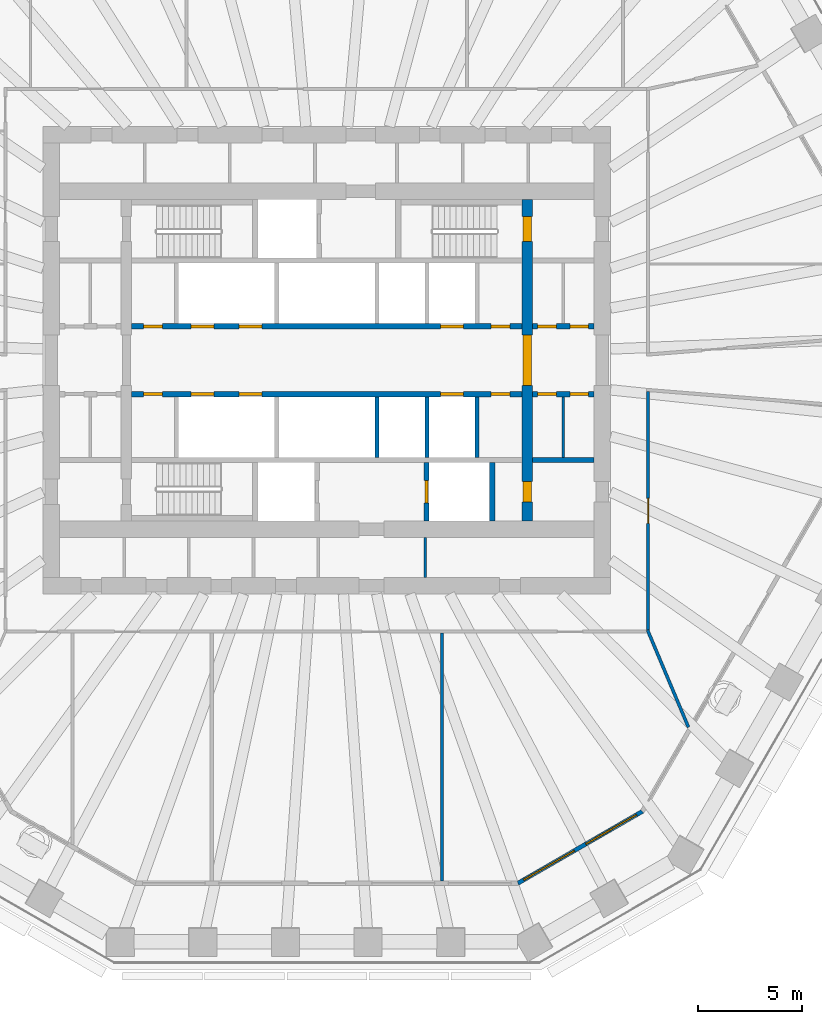
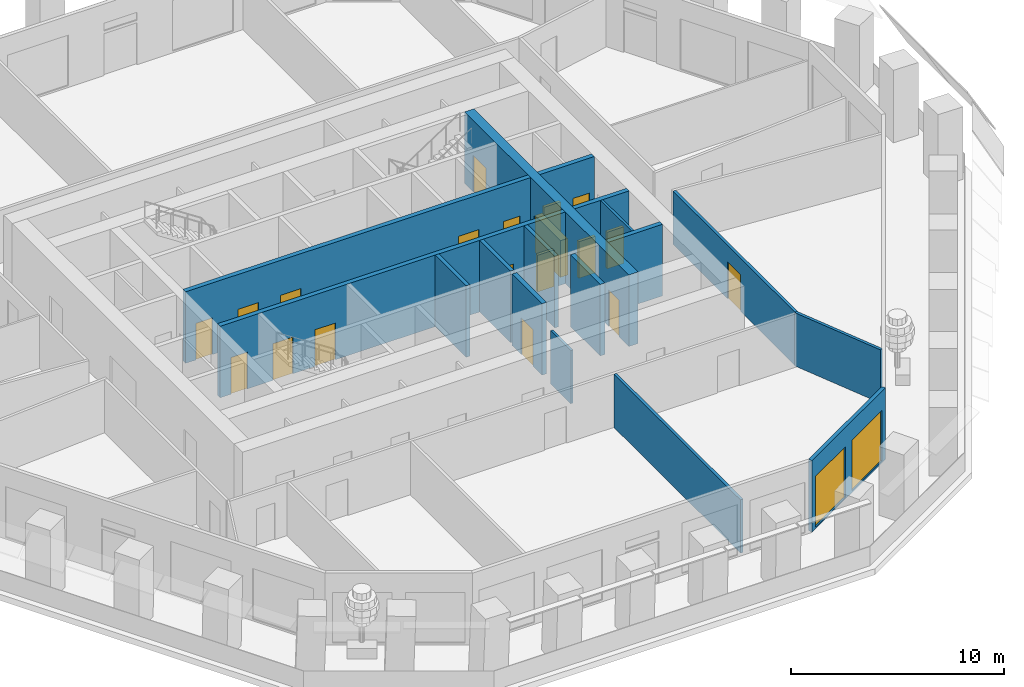
# One storey, part 5 of 13: 19 doors, 17 walls, 2 windows, 21 openings.
"""IFC4 building model written with IfcOpenShell, lengths in metres."""

from ifc_helpers import new_model, si_unit, direction, frame, frame_2d, origin, place, context, subcontext, project, spatial, polyline, rectangle, outline, extrude, material, layer, layer_set, type_object, element, fill, save


model = new_model("IFC4")

# Units and contexts
model_context = context("Model", 3, precision=1e-05, world=origin(), true_north=direction((0.0, 1.0)))
body_context = subcontext(model_context, "Body", "Model", "MODEL_VIEW")
ifc_project = project(units=[si_unit("LENGTHUNIT", "METRE"), si_unit("AREAUNIT", "SQUARE_METRE"), si_unit("VOLUMEUNIT", "CUBIC_METRE"), si_unit("PLANEANGLEUNIT", "RADIAN"), si_unit("MASSUNIT", "GRAM", prefix="KILO")], contexts=[model_context])

# Site, building, storey
site_placement = place(None, origin())
site = spatial("IfcSite", under=ifc_project, at=site_placement, CompositionType="ELEMENT")
building_placement = place(site_placement, origin())
building = spatial("IfcBuilding", under=site, at=building_placement, Name="Frailejon Research Tower", CompositionType="ELEMENT")
storey_placement = place(building_placement, frame((0.0, 0.0, 117.60009765625)))
storey = spatial("IfcBuildingStorey", under=building, at=storey_placement, Name="L25", CompositionType="ELEMENT", Elevation=117.60009765625)

# Walls
ifc_material_1 = material(Name="Plasterboard on steel studs", Category="steel")
ifc_layer_1 = layer(ifc_material_1, 0.125)
ifc_layer_set_1 = layer_set([ifc_layer_1], Name="Core partition 125")
wall_type_1 = type_object("IfcWallType", Name="Core partition 125", PredefinedType="PARTITIONING", material=ifc_layer_set_1)
wall_1_placement = place(storey_placement, frame((4.71240234375, -10.39990234375, 0.0), z_axis=(0.0, 0.0, 1.0), x_axis=(0.0, 1.0, 0.0)))
element("IfcWall", 1, at=wall_1_placement, inside=storey, type_object=wall_type_1, Name="Core partition", PredefinedType="PARTITIONING", context=body_context, shape_type="SweptSolid", body=[
    extrude(rectangle(XDim=1.89990234375, YDim=0.125, at=frame_2d((0.949951171875, 0.0))), origin(), (0.0, 0.0, 1.0), 3.0498046875),
])
wall_2_placement = place(storey_placement, frame((11.324951171875, -4.64990234375, 0.0), z_axis=(0.0, 0.0, 1.0), x_axis=(0.0, 1.0, 0.0)))
element("IfcWall", 2, at=wall_2_placement, inside=storey, type_object=wall_type_1, Name="Core partition", PredefinedType="PARTITIONING", context=body_context, shape_type="SweptSolid", body=[
    extrude(rectangle(XDim=2.89990234375, YDim=0.125, at=frame_2d((1.449951171875, 0.0))), origin(), (0.0, 0.0, 1.0), 4.099853515625),
])

# Wall, openings, doors
ifc_material_2 = material(Name="Concrete C70/85", Category="concrete")
ifc_layer_2 = layer(ifc_material_2, 0.5)
ifc_layer_set_2 = layer_set([ifc_layer_2], Name="Core shear wall 500 C70/85")
wall_type_2 = type_object("IfcWallType", Name="Core shear wall 500 C70/85", PredefinedType="SHEAR", material=ifc_layer_set_2)
wall_3_placement = place(storey_placement, frame((9.60009765625, -7.699951171875, 0.0), z_axis=(0.0, 0.0, 1.0), x_axis=(0.0, 1.0, 0.0)))
wall_3 = element("IfcWall", 3, at=wall_3_placement, inside=storey, type_object=wall_type_2, Name="Core shear wall", PredefinedType="SHEAR", context=body_context, shape_type="SweptSolid", body=[
    extrude(rectangle(XDim=15.39990234375, YDim=0.5, at=frame_2d((7.699951171875, 0.0))), origin(), (0.0, 0.0, 1.0), 4.099853515625),
])
opening_1_placement = place(wall_3_placement, frame((6.5, 0.0, 0.0)))
opening_1 = element("IfcOpeningElement", 4, at=opening_1_placement, cuts=wall_3, Name="Opening D2", PredefinedType="OPENING", context=body_context, shape_type="SweptSolid", body=[
    extrude(rectangle(XDim=2.39990234375, YDim=2.10009765625, at=frame_2d((1.199951171875, 1.050048828125))), frame((0.0, 0.260009765625, 0.0), z_axis=(0.0, -1.0, 0.0), x_axis=(1.0, 0.0, 0.0)), (0.0, 0.0, 1.0), 0.52001953125),
])
opening_2_placement = place(wall_3_placement, frame((13.39990234375, 0.0, 0.0)))
opening_2 = element("IfcOpeningElement", 5, at=opening_2_placement, cuts=wall_3, Name="Opening D1", PredefinedType="OPENING", context=body_context, shape_type="SweptSolid", body=[
    extrude(rectangle(XDim=1.199951171875, YDim=2.10009765625, at=frame_2d((0.60009765625, 1.050048828125))), frame((0.0, 0.260009765625, 0.0), z_axis=(0.0, -1.0, 0.0), x_axis=(1.0, 0.0, 0.0)), (0.0, 0.0, 1.0), 0.52001953125),
])
opening_3_placement = place(wall_3_placement, frame((0.89990234375, 0.0, 0.0)))
opening_3 = element("IfcOpeningElement", 6, at=opening_3_placement, cuts=wall_3, Name="Opening D4", PredefinedType="OPENING", context=body_context, shape_type="SweptSolid", body=[
    extrude(rectangle(XDim=1.0, YDim=2.10009765625, at=frame_2d((0.5, 1.050048828125))), frame((0.0, 0.260009765625, 0.0), z_axis=(0.0, -1.0, 0.0), x_axis=(1.0, 0.0, 0.0)), (0.0, 0.0, 1.0), 0.52001953125),
])
ifc_material_3 = material(Name="Steel", Category="steel")
door_type_1 = type_object("IfcDoorType", Name="Lobby double door", OperationType="DOUBLE_DOOR_SINGLE_SWING", PredefinedType="DOOR", material=ifc_material_3)
door_1_placement = place(opening_1_placement, origin())
door_1 = element("IfcDoor", 7, at=door_1_placement, inside=storey, type_object=door_type_1, Name="Lobby door", OperationType="DOUBLE_DOOR_SINGLE_SWING", OverallHeight=2.10009765625, OverallWidth=2.39990234375, PredefinedType="DOOR", context=body_context, shape_type="SweptSolid", body=[
    extrude(rectangle(XDim=2.39990234375, YDim=2.10009765625, at=frame_2d((1.199951171875, 1.050048828125))), frame((0.0, 0.199951171875, 0.0), z_axis=(0.0, -1.0, 0.0), x_axis=(1.0, 0.0, 0.0)), (0.0, 0.0, 1.0), 0.39990234375),
])
fill(opening_1, door_1)
ifc_material_4 = material(Name="Steel", Category="steel")
door_type_2 = type_object("IfcDoorType", Name="Service door", OperationType="SINGLE_SWING_LEFT", PredefinedType="DOOR", material=ifc_material_4)
door_2_placement = place(opening_3_placement, origin())
door_2 = element("IfcDoor", 8, at=door_2_placement, inside=storey, type_object=door_type_2, Name="Riser door", OperationType="SINGLE_SWING_LEFT", OverallHeight=2.10009765625, OverallWidth=1.0, PredefinedType="DOOR", context=body_context, shape_type="SweptSolid", body=[
    extrude(rectangle(XDim=1.0, YDim=2.10009765625, at=frame_2d((0.5, 1.050048828125))), frame((0.0, 0.199951171875, 0.0), z_axis=(0.0, -1.0, 0.0), x_axis=(1.0, 0.0, 0.0)), (0.0, 0.0, 1.0), 0.39990234375),
])
fill(opening_3, door_2)
ifc_material_5 = material(Name="Steel", Category="steel")
door_type_3 = type_object("IfcDoorType", Name="Stair door", OperationType="SINGLE_SWING_LEFT", PredefinedType="DOOR", material=ifc_material_5)
door_3_placement = place(opening_2_placement, origin())
door_3 = element("IfcDoor", 9, at=door_3_placement, inside=storey, type_object=door_type_3, Name="Stair door ST3", OperationType="SINGLE_SWING_LEFT", OverallHeight=2.10009765625, OverallWidth=1.199951171875, PredefinedType="DOOR", context=body_context, shape_type="SweptSolid", body=[
    extrude(rectangle(XDim=1.199951171875, YDim=2.10009765625, at=frame_2d((0.60009765625, 1.050048828125))), frame((0.0, 0.199951171875, 0.0), z_axis=(0.0, -1.0, 0.0), x_axis=(1.0, 0.0, 0.0)), (0.0, 0.0, 1.0), 0.39990234375),
])
fill(opening_2, door_3)

# Wall, opening, door
ifc_material_6 = material(Name="Gypsum board and masonry partition", Category="masonry")
ifc_layer_3 = layer(ifc_material_6, 0.14990234375)
ifc_layer_set_3 = layer_set([ifc_layer_3], Name="Corridor wall EI 60, gypsum on steel studs 150")
wall_type_3 = type_object("IfcWallType", Name="Corridor wall EI 60, gypsum on steel studs 150", PredefinedType="PARTITIONING", material=ifc_layer_set_3)
wall_4_placement = place(storey_placement, frame((15.39990234375, -12.925048828125, 0.0), z_axis=(0.0, 0.0, 1.0), x_axis=(0.0, 1.0, 0.0)))
wall_4 = element("IfcWall", 10, at=wall_4_placement, inside=storey, type_object=wall_type_3, Name="T:IW:L25:001", PredefinedType="PARTITIONING", context=body_context, shape_type="SweptSolid", body=[
    extrude(rectangle(XDim=11.424560546875, YDim=0.14990234375, at=frame_2d((5.71240234375, 0.0))), origin(), (0.0, 0.0, 1.0), 3.0498046875),
])
opening_4_placement = place(wall_4_placement, frame((5.1123046875, 0.0, 0.0)))
opening_4 = element("IfcOpeningElement", 11, at=opening_4_placement, cuts=wall_4, Name="Opening D1630", PredefinedType="OPENING", context=body_context, shape_type="SweptSolid", body=[
    extrude(rectangle(XDim=1.199951171875, YDim=2.10009765625, at=frame_2d((0.60009765625, 1.050048828125))), frame((0.0, 0.0849609375, 0.0), z_axis=(0.0, -1.0, 0.0), x_axis=(1.0, 0.0, 0.0)), (0.0, 0.0, 1.0), 0.169921875),
])
ifc_material_7 = material(Name="Timber door leaf", Category="wood")
door_type_4 = type_object("IfcDoorType", Name="Door single leaf, timber, steel frame 1200", OperationType="NOTDEFINED", PredefinedType="DOOR", material=ifc_material_7)
door_4_placement = place(opening_4_placement, origin())
door_4 = element("IfcDoor", 12, at=door_4_placement, inside=storey, type_object=door_type_4, Name="D1630", OperationType="DOUBLE_DOOR_SINGLE_SWING", OverallHeight=2.10009765625, OverallWidth=1.199951171875, PredefinedType="DOOR", context=body_context, shape_type="SweptSolid", body=[
    extrude(rectangle(XDim=1.199951171875, YDim=2.10009765625, at=frame_2d((0.60009765625, 1.050048828125))), frame((0.0, 0.02490234375, 0.0), z_axis=(0.0, -1.0, 0.0), x_axis=(1.0, 0.0, 0.0)), (0.0, 0.0, 1.0), 0.050048828125),
])
fill(opening_4, door_4)

# Walls
ifc_material_8 = material(Name="Gypsum board and masonry partition", Category="masonry")
ifc_layer_4 = layer(ifc_material_8, 0.14990234375)
ifc_layer_set_4 = layer_set([ifc_layer_4], Name="Laboratory partition, blockwork 150")
wall_type_4 = type_object("IfcWallType", Name="Laboratory partition, blockwork 150", PredefinedType="PARTITIONING", material=ifc_layer_set_4)
wall_5_placement = place(storey_placement, frame((5.51318359375, -24.95654296875, 0.0), z_axis=(0.0, 0.0, 1.0), x_axis=(0.0, 1.0, 0.0)))
element("IfcWall", 13, at=wall_5_placement, inside=storey, type_object=wall_type_4, Name="T:IW:L25:018", PredefinedType="PARTITIONING", context=body_context, shape_type="SweptSolid", body=[
    extrude(rectangle(XDim=11.881591796875, YDim=0.14990234375, at=frame_2d((5.94091796875, 0.0))), origin(), (0.0, 0.0, 1.0), 3.0498046875),
])
wall_6_placement = place(storey_placement, frame((15.370849609375, -12.930908203125, 0.0), z_axis=(0.0, 0.0, 1.0), x_axis=(0.387981331709, -0.921667231839, 0.0)))
element("IfcWall", 14, at=wall_6_placement, inside=storey, type_object=wall_type_4, Name="T:IW:L25:019", PredefinedType="PARTITIONING", context=body_context, shape_type="SweptSolid", body=[
    extrude(rectangle(XDim=5.048583984375, YDim=0.14990234375, at=frame_2d((2.5244140625, 0.0))), origin(), (0.0, 0.0, 1.0), 3.0498046875),
])
ifc_material_9 = material(Name="Concrete C70/85", Category="concrete")
ifc_layer_5 = layer(ifc_material_9, 0.199951171875)
ifc_layer_set_5 = layer_set([ifc_layer_5], Name="Shaft wall 200 C70/85")
wall_type_5 = type_object("IfcWallType", Name="Shaft wall 200 C70/85", PredefinedType="SOLIDWALL", material=ifc_layer_set_5)
for number, where, z_axis, x_axis, name in (
    (15, (2.39990234375, -4.64990234375, 0.0), (0.0, 0.0, 1.0), (0.0, 1.0, 0.0), "Shaft wall"),
    (16, (4.800048828125, -4.64990234375, 0.0), (0.0, 0.0, 1.0), (0.0, 1.0, 0.0), "Shaft wall"),
    (17, (7.199951171875, -4.64990234375, 0.0), (0.0, 0.0, 1.0), (0.0, 1.0, 0.0), "Shaft wall"),
):
    element("IfcWall", number, at=place(storey_placement, frame(where, z_axis=z_axis, x_axis=x_axis)), inside=storey, type_object=wall_type_5, Name=name, PredefinedType="SOLIDWALL", context=body_context, shape_type="SweptSolid", body=[
        extrude(rectangle(XDim=2.89990234375, YDim=0.199951171875, at=frame_2d((1.449951171875, 0.0))), origin(), (0.0, 0.0, 1.0), 4.099853515625),
    ])

# Wall, openings, doors
ifc_material_10 = material(Name="Concrete C70/85", Category="concrete")
ifc_layer_6 = layer(ifc_material_10, 0.25)
ifc_layer_set_6 = layer_set([ifc_layer_6], Name="Shaft wall 250 C70/85")
wall_type_6 = type_object("IfcWallType", Name="Shaft wall 250 C70/85", PredefinedType="SOLIDWALL", material=ifc_layer_set_6)
wall_7_placement = place(storey_placement, frame((-9.35009765625, 1.625, 0.0), z_axis=(0.0, 0.0, 1.0), x_axis=(1.0, 0.0, 0.0)))
wall_7 = element("IfcWall", 18, at=wall_7_placement, inside=storey, type_object=wall_type_6, Name="Shaft wall", PredefinedType="SOLIDWALL", context=body_context, shape_type="SweptSolid", body=[
    extrude(rectangle(XDim=18.7001953125, YDim=0.25, at=frame_2d((9.35009765625, 0.0))), origin(), (0.0, 0.0, 1.0), 4.099853515625),
])
opening_5_placement = place(wall_7_placement, frame((2.85009765625, 0.0, 0.0)))
opening_5 = element("IfcOpeningElement", 19, at=opening_5_placement, cuts=wall_7, Name="Opening LD", PredefinedType="OPENING", context=body_context, shape_type="SweptSolid", body=[
    extrude(rectangle(XDim=1.10009765625, YDim=2.10009765625, at=frame_2d((0.550048828125, 1.050048828125))), frame((0.0, 0.135009765625, 0.0), z_axis=(0.0, -1.0, 0.0), x_axis=(1.0, 0.0, 0.0)), (0.0, 0.0, 1.0), 0.27001953125),
])
opening_6_placement = place(wall_7_placement, frame((5.14990234375, 0.0, 0.0)))
opening_6 = element("IfcOpeningElement", 20, at=opening_6_placement, cuts=wall_7, Name="Opening LD", PredefinedType="OPENING", context=body_context, shape_type="SweptSolid", body=[
    extrude(rectangle(XDim=1.10009765625, YDim=2.10009765625, at=frame_2d((0.550048828125, 1.050048828125))), frame((0.0, 0.135009765625, 0.0), z_axis=(0.0, -1.0, 0.0), x_axis=(1.0, 0.0, 0.0)), (0.0, 0.0, 1.0), 0.27001953125),
])
opening_7_placement = place(wall_7_placement, frame((14.800048828125, 0.0, 0.0)))
opening_7 = element("IfcOpeningElement", 21, at=opening_7_placement, cuts=wall_7, Name="Opening LD", PredefinedType="OPENING", context=body_context, shape_type="SweptSolid", body=[
    extrude(rectangle(XDim=1.10009765625, YDim=2.10009765625, at=frame_2d((0.550048828125, 1.050048828125))), frame((0.0, 0.135009765625, 0.0), z_axis=(0.0, -1.0, 0.0), x_axis=(1.0, 0.0, 0.0)), (0.0, 0.0, 1.0), 0.27001953125),
])
opening_8_placement = place(wall_7_placement, frame((0.574951171875, 0.0, 0.0)))
opening_8 = element("IfcOpeningElement", 22, at=opening_8_placement, cuts=wall_7, Name="Opening D8", PredefinedType="OPENING", context=body_context, shape_type="SweptSolid", body=[
    extrude(rectangle(XDim=0.89990234375, YDim=2.10009765625, at=frame_2d((0.449951171875, 1.050048828125))), frame((0.0, 0.135009765625, 0.0), z_axis=(0.0, -1.0, 0.0), x_axis=(1.0, 0.0, 0.0)), (0.0, 0.0, 1.0), 0.27001953125),
])
opening_9_placement = place(wall_7_placement, frame((17.22509765625, 0.0, 0.0)))
opening_9 = element("IfcOpeningElement", 23, at=opening_9_placement, cuts=wall_7, Name="Opening D8", PredefinedType="OPENING", context=body_context, shape_type="SweptSolid", body=[
    extrude(rectangle(XDim=0.89990234375, YDim=2.10009765625, at=frame_2d((0.449951171875, 1.050048828125))), frame((0.0, 0.135009765625, 0.0), z_axis=(0.0, -1.0, 0.0), x_axis=(1.0, 0.0, 0.0)), (0.0, 0.0, 1.0), 0.27001953125),
])
ifc_material_11 = material(Name="Steel", Category="steel")
door_type_5 = type_object("IfcDoorType", Name="Core room door", OperationType="SINGLE_SWING_LEFT", PredefinedType="DOOR", material=ifc_material_11)
door_5_placement = place(opening_8_placement, origin())
door_5 = element("IfcDoor", 24, at=door_5_placement, inside=storey, type_object=door_type_5, Name="Room door", OperationType="SINGLE_SWING_RIGHT", OverallHeight=2.10009765625, OverallWidth=0.89990234375, PredefinedType="DOOR", context=body_context, shape_type="SweptSolid", body=[
    extrude(rectangle(XDim=0.89990234375, YDim=2.10009765625, at=frame_2d((0.449951171875, 1.050048828125))), frame((0.0, 0.074951171875, 0.0), z_axis=(0.0, -1.0, 0.0), x_axis=(1.0, 0.0, 0.0)), (0.0, 0.0, 1.0), 0.14990234375),
])
fill(opening_8, door_5)
door_6_placement = place(opening_9_placement, origin())
door_6 = element("IfcDoor", 25, at=door_6_placement, inside=storey, type_object=door_type_5, Name="Room door", OperationType="SINGLE_SWING_LEFT", OverallHeight=2.10009765625, OverallWidth=0.89990234375, PredefinedType="DOOR", context=body_context, shape_type="SweptSolid", body=[
    extrude(rectangle(XDim=0.89990234375, YDim=2.10009765625, at=frame_2d((0.449951171875, 1.050048828125))), frame((0.0, 0.074951171875, 0.0), z_axis=(0.0, -1.0, 0.0), x_axis=(1.0, 0.0, 0.0)), (0.0, 0.0, 1.0), 0.14990234375),
])
fill(opening_9, door_6)
ifc_material_12 = material(Name="Steel", Category="steel")
door_type_6 = type_object("IfcDoorType", Name="Lift landing door", OperationType="DOUBLE_DOOR_SLIDING", PredefinedType="DOOR", material=ifc_material_12)
door_7_placement = place(opening_5_placement, origin())
door_7 = element("IfcDoor", 26, at=door_7_placement, inside=storey, type_object=door_type_6, Name="Lift landing door", OperationType="DOUBLE_DOOR_SLIDING", OverallHeight=2.10009765625, OverallWidth=1.10009765625, PredefinedType="DOOR", context=body_context, shape_type="SweptSolid", body=[
    extrude(rectangle(XDim=1.10009765625, YDim=2.10009765625, at=frame_2d((0.550048828125, 1.050048828125))), frame((0.0, 0.074951171875, 0.0), z_axis=(0.0, -1.0, 0.0), x_axis=(1.0, 0.0, 0.0)), (0.0, 0.0, 1.0), 0.14990234375),
])
fill(opening_5, door_7)
door_8_placement = place(opening_6_placement, origin())
door_8 = element("IfcDoor", 27, at=door_8_placement, inside=storey, type_object=door_type_6, Name="Lift landing door", OperationType="DOUBLE_DOOR_SLIDING", OverallHeight=2.10009765625, OverallWidth=1.10009765625, PredefinedType="DOOR", context=body_context, shape_type="SweptSolid", body=[
    extrude(rectangle(XDim=1.10009765625, YDim=2.10009765625, at=frame_2d((0.550048828125, 1.050048828125))), frame((0.0, 0.074951171875, 0.0), z_axis=(0.0, -1.0, 0.0), x_axis=(1.0, 0.0, 0.0)), (0.0, 0.0, 1.0), 0.14990234375),
])
fill(opening_6, door_8)
door_9_placement = place(opening_7_placement, origin())
door_9 = element("IfcDoor", 28, at=door_9_placement, inside=storey, type_object=door_type_6, Name="Lift landing door", OperationType="DOUBLE_DOOR_SLIDING", OverallHeight=2.10009765625, OverallWidth=1.10009765625, PredefinedType="DOOR", context=body_context, shape_type="SweptSolid", body=[
    extrude(rectangle(XDim=1.10009765625, YDim=2.10009765625, at=frame_2d((0.550048828125, 1.050048828125))), frame((0.0, 0.074951171875, 0.0), z_axis=(0.0, -1.0, 0.0), x_axis=(1.0, 0.0, 0.0)), (0.0, 0.0, 1.0), 0.14990234375),
])
fill(opening_7, door_9)

wall_8_placement = place(storey_placement, frame((9.85009765625, 1.625, 0.0), z_axis=(0.0, 0.0, 1.0), x_axis=(1.0, 0.0, 0.0)))
wall_8 = element("IfcWall", 29, at=wall_8_placement, inside=storey, type_object=wall_type_6, Name="Shaft wall", PredefinedType="SOLIDWALL", context=body_context, shape_type="SweptSolid", body=[
    extrude(rectangle(XDim=2.949951171875, YDim=0.25, at=frame_2d((1.47509765625, 0.0))), origin(), (0.0, 0.0, 1.0), 4.099853515625),
])
opening_10_placement = place(wall_8_placement, frame((0.256103515625, 0.0, 0.0)))
opening_10 = element("IfcOpeningElement", 30, at=opening_10_placement, cuts=wall_8, Name="Opening D8", PredefinedType="OPENING", context=body_context, shape_type="SweptSolid", body=[
    extrude(rectangle(XDim=0.89990234375, YDim=2.10009765625, at=frame_2d((0.449951171875, 1.050048828125))), frame((0.0, 0.135009765625, 0.0), z_axis=(0.0, -1.0, 0.0), x_axis=(1.0, 0.0, 0.0)), (0.0, 0.0, 1.0), 0.27001953125),
])
opening_11_placement = place(wall_8_placement, frame((1.793701171875, 0.0, 0.0)))
opening_11 = element("IfcOpeningElement", 31, at=opening_11_placement, cuts=wall_8, Name="Opening D8", PredefinedType="OPENING", context=body_context, shape_type="SweptSolid", body=[
    extrude(rectangle(XDim=0.89990234375, YDim=2.10009765625, at=frame_2d((0.449951171875, 1.050048828125))), frame((0.0, 0.135009765625, 0.0), z_axis=(0.0, -1.0, 0.0), x_axis=(1.0, 0.0, 0.0)), (0.0, 0.0, 1.0), 0.27001953125),
])
door_10_placement = place(opening_10_placement, origin())
door_10 = element("IfcDoor", 32, at=door_10_placement, inside=storey, type_object=door_type_5, Name="Room door", OperationType="SINGLE_SWING_RIGHT", OverallHeight=2.10009765625, OverallWidth=0.89990234375, PredefinedType="DOOR", context=body_context, shape_type="SweptSolid", body=[
    extrude(rectangle(XDim=0.89990234375, YDim=2.10009765625, at=frame_2d((0.449951171875, 1.050048828125))), frame((0.0, 0.074951171875, 0.0), z_axis=(0.0, -1.0, 0.0), x_axis=(1.0, 0.0, 0.0)), (0.0, 0.0, 1.0), 0.14990234375),
])
fill(opening_10, door_10)
door_11_placement = place(opening_11_placement, origin())
door_11 = element("IfcDoor", 33, at=door_11_placement, inside=storey, type_object=door_type_5, Name="Room door", OperationType="SINGLE_SWING_LEFT", OverallHeight=2.10009765625, OverallWidth=0.89990234375, PredefinedType="DOOR", context=body_context, shape_type="SweptSolid", body=[
    extrude(rectangle(XDim=0.89990234375, YDim=2.10009765625, at=frame_2d((0.449951171875, 1.050048828125))), frame((0.0, 0.074951171875, 0.0), z_axis=(0.0, -1.0, 0.0), x_axis=(1.0, 0.0, 0.0)), (0.0, 0.0, 1.0), 0.14990234375),
])
fill(opening_11, door_11)

wall_9_placement = place(storey_placement, frame((-9.35009765625, -1.625, 0.0), z_axis=(0.0, 0.0, 1.0), x_axis=(1.0, 0.0, 0.0)))
wall_9 = element("IfcWall", 34, at=wall_9_placement, inside=storey, type_object=wall_type_6, Name="Shaft wall", PredefinedType="SOLIDWALL", context=body_context, shape_type="SweptSolid", body=[
    extrude(rectangle(XDim=18.7001953125, YDim=0.25, at=frame_2d((9.35009765625, 0.0))), origin(), (0.0, 0.0, 1.0), 4.099853515625),
])
opening_12_placement = place(wall_9_placement, frame((2.85009765625, 0.0, 0.0)))
opening_12 = element("IfcOpeningElement", 35, at=opening_12_placement, cuts=wall_9, Name="Opening LD", PredefinedType="OPENING", context=body_context, shape_type="SweptSolid", body=[
    extrude(rectangle(XDim=1.10009765625, YDim=2.10009765625, at=frame_2d((0.550048828125, 1.050048828125))), frame((0.0, 0.135009765625, 0.0), z_axis=(0.0, -1.0, 0.0), x_axis=(1.0, 0.0, 0.0)), (0.0, 0.0, 1.0), 0.27001953125),
])
opening_13_placement = place(wall_9_placement, frame((5.14990234375, 0.0, 0.0)))
opening_13 = element("IfcOpeningElement", 36, at=opening_13_placement, cuts=wall_9, Name="Opening LD", PredefinedType="OPENING", context=body_context, shape_type="SweptSolid", body=[
    extrude(rectangle(XDim=1.10009765625, YDim=2.10009765625, at=frame_2d((0.550048828125, 1.050048828125))), frame((0.0, 0.135009765625, 0.0), z_axis=(0.0, -1.0, 0.0), x_axis=(1.0, 0.0, 0.0)), (0.0, 0.0, 1.0), 0.27001953125),
])
opening_14_placement = place(wall_9_placement, frame((14.800048828125, 0.0, 0.0)))
opening_14 = element("IfcOpeningElement", 37, at=opening_14_placement, cuts=wall_9, Name="Opening LD", PredefinedType="OPENING", context=body_context, shape_type="SweptSolid", body=[
    extrude(rectangle(XDim=1.10009765625, YDim=2.10009765625, at=frame_2d((0.550048828125, 1.050048828125))), frame((0.0, 0.135009765625, 0.0), z_axis=(0.0, -1.0, 0.0), x_axis=(1.0, 0.0, 0.0)), (0.0, 0.0, 1.0), 0.27001953125),
])
opening_15_placement = place(wall_9_placement, frame((0.574951171875, 0.0, 0.0)))
opening_15 = element("IfcOpeningElement", 38, at=opening_15_placement, cuts=wall_9, Name="Opening D8", PredefinedType="OPENING", context=body_context, shape_type="SweptSolid", body=[
    extrude(rectangle(XDim=0.89990234375, YDim=2.10009765625, at=frame_2d((0.449951171875, 1.050048828125))), frame((0.0, 0.135009765625, 0.0), z_axis=(0.0, -1.0, 0.0), x_axis=(1.0, 0.0, 0.0)), (0.0, 0.0, 1.0), 0.27001953125),
])
opening_16_placement = place(wall_9_placement, frame((17.22509765625, 0.0, 0.0)))
opening_16 = element("IfcOpeningElement", 39, at=opening_16_placement, cuts=wall_9, Name="Opening D8", PredefinedType="OPENING", context=body_context, shape_type="SweptSolid", body=[
    extrude(rectangle(XDim=0.89990234375, YDim=2.10009765625, at=frame_2d((0.449951171875, 1.050048828125))), frame((0.0, 0.135009765625, 0.0), z_axis=(0.0, -1.0, 0.0), x_axis=(1.0, 0.0, 0.0)), (0.0, 0.0, 1.0), 0.27001953125),
])
door_12_placement = place(opening_15_placement, origin())
door_12 = element("IfcDoor", 40, at=door_12_placement, inside=storey, type_object=door_type_5, Name="Room door", OperationType="SINGLE_SWING_RIGHT", OverallHeight=2.10009765625, OverallWidth=0.89990234375, PredefinedType="DOOR", context=body_context, shape_type="SweptSolid", body=[
    extrude(rectangle(XDim=0.89990234375, YDim=2.10009765625, at=frame_2d((0.449951171875, 1.050048828125))), frame((0.0, 0.074951171875, 0.0), z_axis=(0.0, -1.0, 0.0), x_axis=(1.0, 0.0, 0.0)), (0.0, 0.0, 1.0), 0.14990234375),
])
fill(opening_15, door_12)
door_13_placement = place(opening_16_placement, origin())
door_13 = element("IfcDoor", 41, at=door_13_placement, inside=storey, type_object=door_type_5, Name="Room door", OperationType="SINGLE_SWING_LEFT", OverallHeight=2.10009765625, OverallWidth=0.89990234375, PredefinedType="DOOR", context=body_context, shape_type="SweptSolid", body=[
    extrude(rectangle(XDim=0.89990234375, YDim=2.10009765625, at=frame_2d((0.449951171875, 1.050048828125))), frame((0.0, 0.074951171875, 0.0), z_axis=(0.0, -1.0, 0.0), x_axis=(1.0, 0.0, 0.0)), (0.0, 0.0, 1.0), 0.14990234375),
])
fill(opening_16, door_13)
door_14_placement = place(opening_12_placement, origin())
door_14 = element("IfcDoor", 42, at=door_14_placement, inside=storey, type_object=door_type_6, Name="Lift landing door", OperationType="DOUBLE_DOOR_SLIDING", OverallHeight=2.10009765625, OverallWidth=1.10009765625, PredefinedType="DOOR", context=body_context, shape_type="SweptSolid", body=[
    extrude(rectangle(XDim=1.10009765625, YDim=2.10009765625, at=frame_2d((0.550048828125, 1.050048828125))), frame((0.0, 0.074951171875, 0.0), z_axis=(0.0, -1.0, 0.0), x_axis=(1.0, 0.0, 0.0)), (0.0, 0.0, 1.0), 0.14990234375),
])
fill(opening_12, door_14)
door_15_placement = place(opening_13_placement, origin())
door_15 = element("IfcDoor", 43, at=door_15_placement, inside=storey, type_object=door_type_6, Name="Lift landing door", OperationType="DOUBLE_DOOR_SLIDING", OverallHeight=2.10009765625, OverallWidth=1.10009765625, PredefinedType="DOOR", context=body_context, shape_type="SweptSolid", body=[
    extrude(rectangle(XDim=1.10009765625, YDim=2.10009765625, at=frame_2d((0.550048828125, 1.050048828125))), frame((0.0, 0.074951171875, 0.0), z_axis=(0.0, -1.0, 0.0), x_axis=(1.0, 0.0, 0.0)), (0.0, 0.0, 1.0), 0.14990234375),
])
fill(opening_13, door_15)
door_16_placement = place(opening_14_placement, origin())
door_16 = element("IfcDoor", 44, at=door_16_placement, inside=storey, type_object=door_type_6, Name="Lift landing door", OperationType="DOUBLE_DOOR_SLIDING", OverallHeight=2.10009765625, OverallWidth=1.10009765625, PredefinedType="DOOR", context=body_context, shape_type="SweptSolid", body=[
    extrude(rectangle(XDim=1.10009765625, YDim=2.10009765625, at=frame_2d((0.550048828125, 1.050048828125))), frame((0.0, 0.074951171875, 0.0), z_axis=(0.0, -1.0, 0.0), x_axis=(1.0, 0.0, 0.0)), (0.0, 0.0, 1.0), 0.14990234375),
])
fill(opening_14, door_16)

wall_10_placement = place(storey_placement, frame((9.85009765625, -1.625, 0.0), z_axis=(0.0, 0.0, 1.0), x_axis=(1.0, 0.0, 0.0)))
wall_10 = element("IfcWall", 45, at=wall_10_placement, inside=storey, type_object=wall_type_6, Name="Shaft wall", PredefinedType="SOLIDWALL", context=body_context, shape_type="SweptSolid", body=[
    extrude(rectangle(XDim=2.949951171875, YDim=0.25, at=frame_2d((1.47509765625, 0.0))), origin(), (0.0, 0.0, 1.0), 4.099853515625),
])
opening_17_placement = place(wall_10_placement, frame((0.256103515625, 0.0, 0.0)))
opening_17 = element("IfcOpeningElement", 46, at=opening_17_placement, cuts=wall_10, Name="Opening D8", PredefinedType="OPENING", context=body_context, shape_type="SweptSolid", body=[
    extrude(rectangle(XDim=0.89990234375, YDim=2.10009765625, at=frame_2d((0.449951171875, 1.050048828125))), frame((0.0, 0.135009765625, 0.0), z_axis=(0.0, -1.0, 0.0), x_axis=(1.0, 0.0, 0.0)), (0.0, 0.0, 1.0), 0.27001953125),
])
opening_18_placement = place(wall_10_placement, frame((1.793701171875, 0.0, 0.0)))
opening_18 = element("IfcOpeningElement", 47, at=opening_18_placement, cuts=wall_10, Name="Opening D8", PredefinedType="OPENING", context=body_context, shape_type="SweptSolid", body=[
    extrude(rectangle(XDim=0.89990234375, YDim=2.10009765625, at=frame_2d((0.449951171875, 1.050048828125))), frame((0.0, 0.135009765625, 0.0), z_axis=(0.0, -1.0, 0.0), x_axis=(1.0, 0.0, 0.0)), (0.0, 0.0, 1.0), 0.27001953125),
])
door_17_placement = place(opening_17_placement, origin())
door_17 = element("IfcDoor", 48, at=door_17_placement, inside=storey, type_object=door_type_5, Name="Room door", OperationType="SINGLE_SWING_RIGHT", OverallHeight=2.10009765625, OverallWidth=0.89990234375, PredefinedType="DOOR", context=body_context, shape_type="SweptSolid", body=[
    extrude(rectangle(XDim=0.89990234375, YDim=2.10009765625, at=frame_2d((0.449951171875, 1.050048828125))), frame((0.0, 0.074951171875, 0.0), z_axis=(0.0, -1.0, 0.0), x_axis=(1.0, 0.0, 0.0)), (0.0, 0.0, 1.0), 0.14990234375),
])
fill(opening_17, door_17)
door_18_placement = place(opening_18_placement, origin())
door_18 = element("IfcDoor", 49, at=door_18_placement, inside=storey, type_object=door_type_5, Name="Room door", OperationType="SINGLE_SWING_LEFT", OverallHeight=2.10009765625, OverallWidth=0.89990234375, PredefinedType="DOOR", context=body_context, shape_type="SweptSolid", body=[
    extrude(rectangle(XDim=0.89990234375, YDim=2.10009765625, at=frame_2d((0.449951171875, 1.050048828125))), frame((0.0, 0.074951171875, 0.0), z_axis=(0.0, -1.0, 0.0), x_axis=(1.0, 0.0, 0.0)), (0.0, 0.0, 1.0), 0.14990234375),
])
fill(opening_18, door_18)

# Wall
wall_11_placement = place(storey_placement, frame((9.85009765625, -4.77490234375, 0.0), z_axis=(0.0, 0.0, 1.0), x_axis=(1.0, 0.0, 0.0)))
element("IfcWall", 50, at=wall_11_placement, inside=storey, type_object=wall_type_6, Name="Shaft wall", PredefinedType="SOLIDWALL", context=body_context, shape_type="SweptSolid", body=[
    extrude(rectangle(XDim=2.949951171875, YDim=0.25, at=frame_2d((1.47509765625, 0.0))), origin(), (0.0, 0.0, 1.0), 4.099853515625),
])

# Wall, opening, door
wall_12_placement = place(storey_placement, frame((4.77490234375, -7.699951171875, 0.0), z_axis=(0.0, 0.0, 1.0), x_axis=(0.0, 1.0, 0.0)))
wall_12 = element("IfcWall", 51, at=wall_12_placement, inside=storey, type_object=wall_type_6, Name="Shaft wall", PredefinedType="SOLIDWALL", context=body_context, shape_type="SweptSolid", body=[
    extrude(rectangle(XDim=2.800048828125, YDim=0.25, at=frame_2d((1.39990234375, 0.0))), origin(), (0.0, 0.0, 1.0), 4.099853515625),
])
opening_19_placement = place(wall_12_placement, frame((0.85009765625, 0.0, 0.0)))
opening_19 = element("IfcOpeningElement", 52, at=opening_19_placement, cuts=wall_12, Name="Opening LD", PredefinedType="OPENING", context=body_context, shape_type="SweptSolid", body=[
    extrude(rectangle(XDim=1.10009765625, YDim=2.10009765625, at=frame_2d((0.550048828125, 1.050048828125))), frame((0.0, 0.135009765625, 0.0), z_axis=(0.0, -1.0, 0.0), x_axis=(1.0, 0.0, 0.0)), (0.0, 0.0, 1.0), 0.27001953125),
])
door_19_placement = place(opening_19_placement, origin())
door_19 = element("IfcDoor", 53, at=door_19_placement, inside=storey, type_object=door_type_6, Name="Lift landing door", OperationType="DOUBLE_DOOR_SLIDING", OverallHeight=2.10009765625, OverallWidth=1.10009765625, PredefinedType="DOOR", context=body_context, shape_type="SweptSolid", body=[
    extrude(rectangle(XDim=1.10009765625, YDim=2.10009765625, at=frame_2d((0.550048828125, 1.050048828125))), frame((0.0, 0.074951171875, 0.0), z_axis=(0.0, -1.0, 0.0), x_axis=(1.0, 0.0, 0.0)), (0.0, 0.0, 1.0), 0.14990234375),
])
fill(opening_19, door_19)

# Wall
wall_13_placement = place(storey_placement, frame((7.925048828125, -7.699951171875, 0.0), z_axis=(0.0, 0.0, 1.0), x_axis=(0.0, 1.0, 0.0)))
element("IfcWall", 54, at=wall_13_placement, inside=storey, type_object=wall_type_6, Name="Shaft wall", PredefinedType="SOLIDWALL", context=body_context, shape_type="SweptSolid", body=[
    extrude(rectangle(XDim=2.800048828125, YDim=0.25, at=frame_2d((1.39990234375, 0.0))), origin(), (0.0, 0.0, 1.0), 4.099853515625),
])

# Wall, openings, windows
ifc_material_13 = material(Name="Concrete C40/50 precast window wall panel", Category="concrete")
ifc_layer_7 = layer(ifc_material_13, 0.199951171875)
ifc_layer_set_7 = layer_set([ifc_layer_7], Name="Window wall 200")
wall_type_7 = type_object("IfcWallType", Name="Window wall 200", PredefinedType="SOLIDWALL", material=ifc_layer_set_7)
wall_14_placement = place(storey_placement, frame((9.161865234375, -25.056396484375, 0.0), z_axis=(0.0, 0.0, 1.0), x_axis=(0.866029458321, 0.49999297727, 0.0)))
wall_14 = element("IfcWall", 55, at=wall_14_placement, inside=storey, type_object=wall_type_7, Name="Exterior wall L25", PredefinedType="SOLIDWALL", context=body_context, shape_type="SweptSolid", body=[
    extrude(outline(polyline([(-0.02685546875, -0.10009765625), (1.1279296875, -0.10009765625), (2.282470703125, -0.10009765625), (3.437255859375, -0.10009765625), (4.592041015625, -0.10009765625), (5.74658203125, -0.10009765625), (6.9013671875, -0.10009765625), (6.84765625, 0.10009765625), (5.7109375, 0.10009765625), (4.573974609375, 0.10009765625), (3.437255859375, 0.10009765625), (2.300537109375, 0.10009765625), (1.16357421875, 0.10009765625), (0.02685546875, 0.10009765625), (-0.02685546875, -0.10009765625)])), origin(), (0.0, 0.0, 1.0), 4.099853515625),
])
opening_20_placement = place(wall_14_placement, frame((0.318603515625, 0.0, 0.10009765625)))
opening_20 = element("IfcOpeningElement", 56, at=opening_20_placement, cuts=wall_14, Name="Opening W3", PredefinedType="OPENING", context=body_context, shape_type="SweptSolid", body=[
    extrude(rectangle(XDim=2.800048828125, YDim=2.89990234375, at=frame_2d((1.39990234375, 1.449951171875))), frame((0.0, 0.10986328125, 0.0), z_axis=(0.0, -1.0, 0.0), x_axis=(1.0, 0.0, 0.0)), (0.0, 0.0, 1.0), 0.219970703125),
])
opening_21_placement = place(wall_14_placement, frame((3.756103515625, 0.0, 0.10009765625)))
opening_21 = element("IfcOpeningElement", 57, at=opening_21_placement, cuts=wall_14, Name="Opening W3", PredefinedType="OPENING", context=body_context, shape_type="SweptSolid", body=[
    extrude(rectangle(XDim=2.800048828125, YDim=2.89990234375, at=frame_2d((1.39990234375, 1.449951171875))), frame((0.0, 0.10986328125, 0.0), z_axis=(0.0, -1.0, 0.0), x_axis=(1.0, 0.0, 0.0)), (0.0, 0.0, 1.0), 0.219970703125),
])
ifc_material_14 = material(Name="Aluminium framed double glazing", Category="aluminium")
window_type = type_object("IfcWindowType", Name="Window 2800x2900", PartitioningType="SINGLE_PANEL", PredefinedType="WINDOW", material=ifc_material_14)
window_1_placement = place(opening_20_placement, origin())
window_1 = element("IfcWindow", 58, at=window_1_placement, inside=storey, type_object=window_type, Name="Window L25", OverallHeight=2.89990234375, OverallWidth=2.800048828125, PartitioningType="SINGLE_PANEL", PredefinedType="WINDOW", context=body_context, shape_type="SweptSolid", body=[
    extrude(rectangle(XDim=2.800048828125, YDim=2.89990234375, at=frame_2d((1.39990234375, 1.449951171875))), frame((0.0, 0.030029296875, 0.0), z_axis=(0.0, -1.0, 0.0), x_axis=(1.0, 0.0, 0.0)), (0.0, 0.0, 1.0), 0.06005859375),
])
fill(opening_20, window_1)
window_2_placement = place(opening_21_placement, origin())
window_2 = element("IfcWindow", 59, at=window_2_placement, inside=storey, type_object=window_type, Name="Window L25", OverallHeight=2.89990234375, OverallWidth=2.800048828125, PartitioningType="SINGLE_PANEL", PredefinedType="WINDOW", context=body_context, shape_type="SweptSolid", body=[
    extrude(rectangle(XDim=2.800048828125, YDim=2.89990234375, at=frame_2d((1.39990234375, 1.449951171875))), frame((0.0, 0.030029296875, 0.0), z_axis=(0.0, -1.0, 0.0), x_axis=(1.0, 0.0, 0.0)), (0.0, 0.0, 1.0), 0.06005859375),
])
fill(opening_21, window_2)

save(model, "model.ifc")
